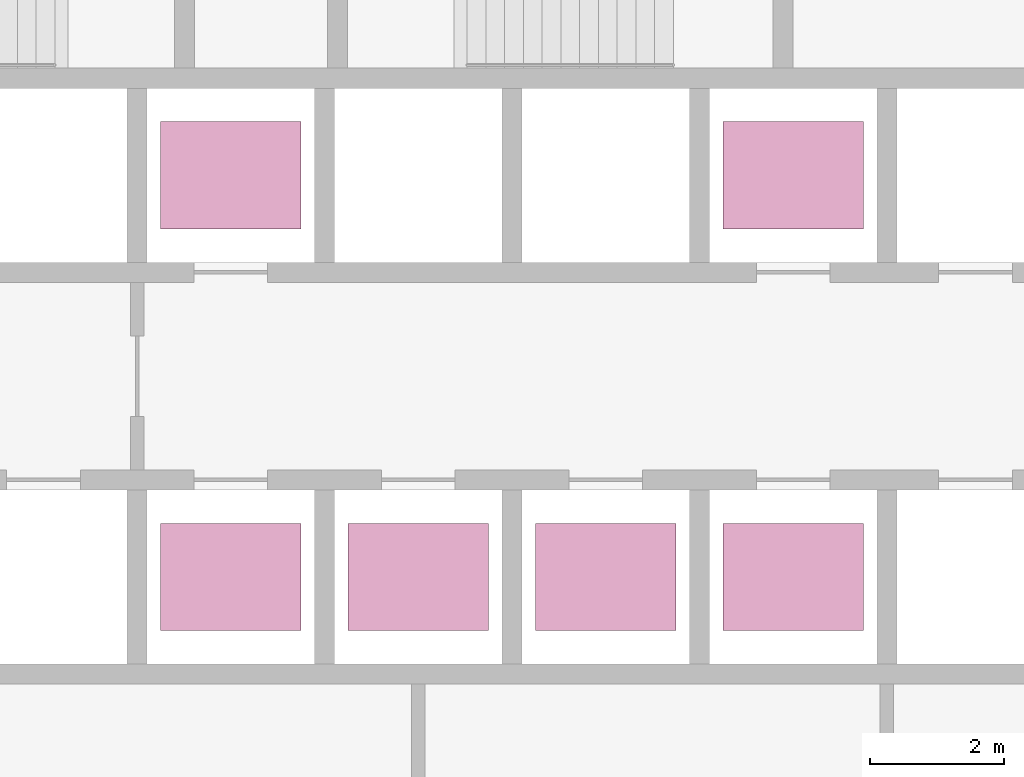
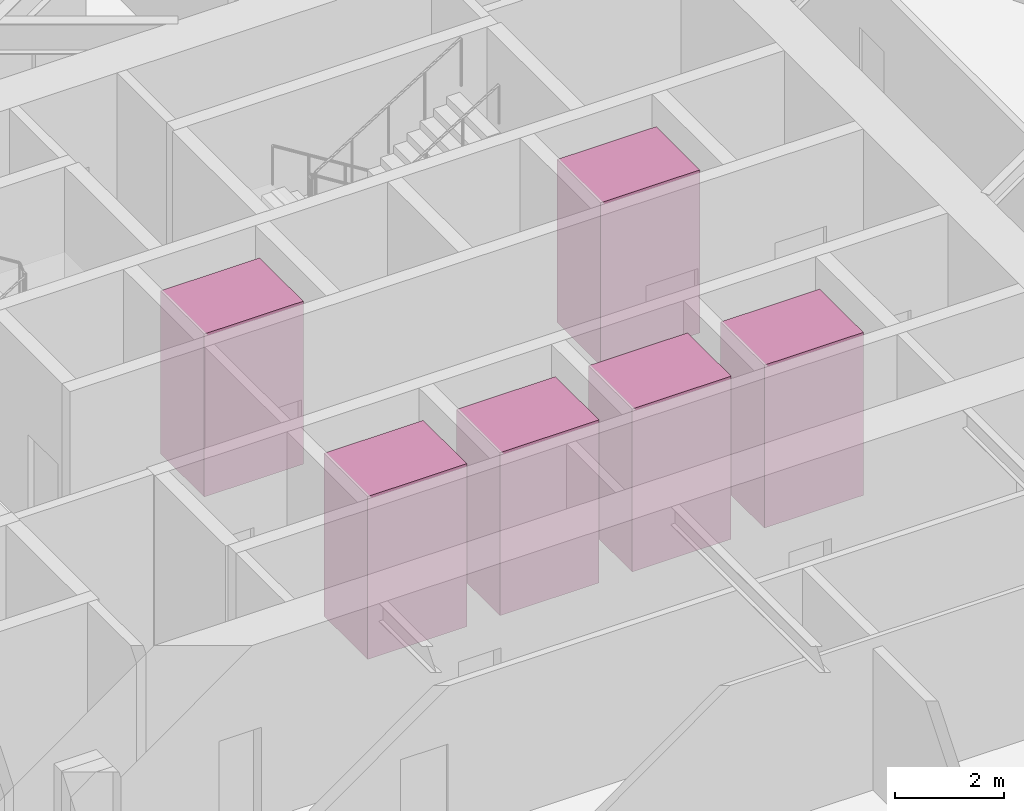
# One storey, part 22 of 22: 6 transport elements.
"""IFC4 building model written with IfcOpenShell, lengths in metres."""

from ifc_helpers import new_model, si_unit, direction, frame, origin, origin_2d, place, context, subcontext, project, spatial, rectangle, extrude, material, type_object, element, save


model = new_model("IFC4")

# Units and contexts
model_context = context("Model", 3, precision=1e-05, world=origin(), true_north=direction((0.0, 1.0)))
body_context = subcontext(model_context, "Body", "Model", "MODEL_VIEW")
ifc_project = project(units=[si_unit("LENGTHUNIT", "METRE"), si_unit("AREAUNIT", "SQUARE_METRE"), si_unit("VOLUMEUNIT", "CUBIC_METRE"), si_unit("PLANEANGLEUNIT", "RADIAN"), si_unit("MASSUNIT", "GRAM", prefix="KILO")], contexts=[model_context])

# Site, building, storey
site_placement = place(None, origin())
site = spatial("IfcSite", under=ifc_project, at=site_placement, CompositionType="ELEMENT")
building_placement = place(site_placement, origin())
building = spatial("IfcBuilding", under=site, at=building_placement, Name="Firuza Gate Tower and Library", CompositionType="ELEMENT")
storey_placement = place(building_placement, frame((0.0, 0.0, 132.39990234375)))
storey = spatial("IfcBuildingStorey", under=building, at=storey_placement, Name="L30", CompositionType="ELEMENT", Elevation=132.39990234375)

# Transport elements
ifc_material = material(Name="Stainless steel and glass", Category="steel")
transport_element_type = type_object("IfcTransportElementType", Name="Low-rise lift car 2100x1600", PredefinedType="ELEVATOR", material=ifc_material)
for number, where, z_axis, x_axis, name in (
    (1, (74.64990234375, 70.300048828125, 0.000244140625), (0.0, 0.0, 1.0), (1.0, 0.0, 0.0), "Low-rise lift LR1"),
    (2, (77.449951171875, 70.300048828125, 0.000244140625), (0.0, 0.0, 1.0), (1.0, 0.0, 0.0), "Low-rise lift LR2"),
    (3, (80.25, 70.300048828125, 0.000244140625), (0.0, 0.0, 1.0), (1.0, 0.0, 0.0), "Low-rise lift LR3"),
    (4, (74.64990234375, 76.300048828125, 0.000244140625), (0.0, 0.0, 1.0), (1.0, 0.0, 0.0), "Low-rise lift LR4"),
    (5, (83.050048828125, 70.300048828125, 0.000244140625), (0.0, 0.0, 1.0), (1.0, 0.0, 0.0), "Low-rise lift LR5"),
    (6, (83.050048828125, 76.300048828125, 0.000244140625), (0.0, 0.0, 1.0), (1.0, 0.0, 0.0), "Low-rise lift LR6"),
):
    element("IfcTransportElement", number, at=place(storey_placement, frame(where, z_axis=z_axis, x_axis=x_axis)), inside=storey, type_object=transport_element_type, Name=name, PredefinedType="ELEVATOR", context=body_context, shape_type="SweptSolid", body=[
        extrude(rectangle(XDim=2.10009765625, YDim=1.60009765625, at=origin_2d()), origin(), (0.0, 0.0, 1.0), 3.64990234375),
    ])

save(model, "model.ifc")
